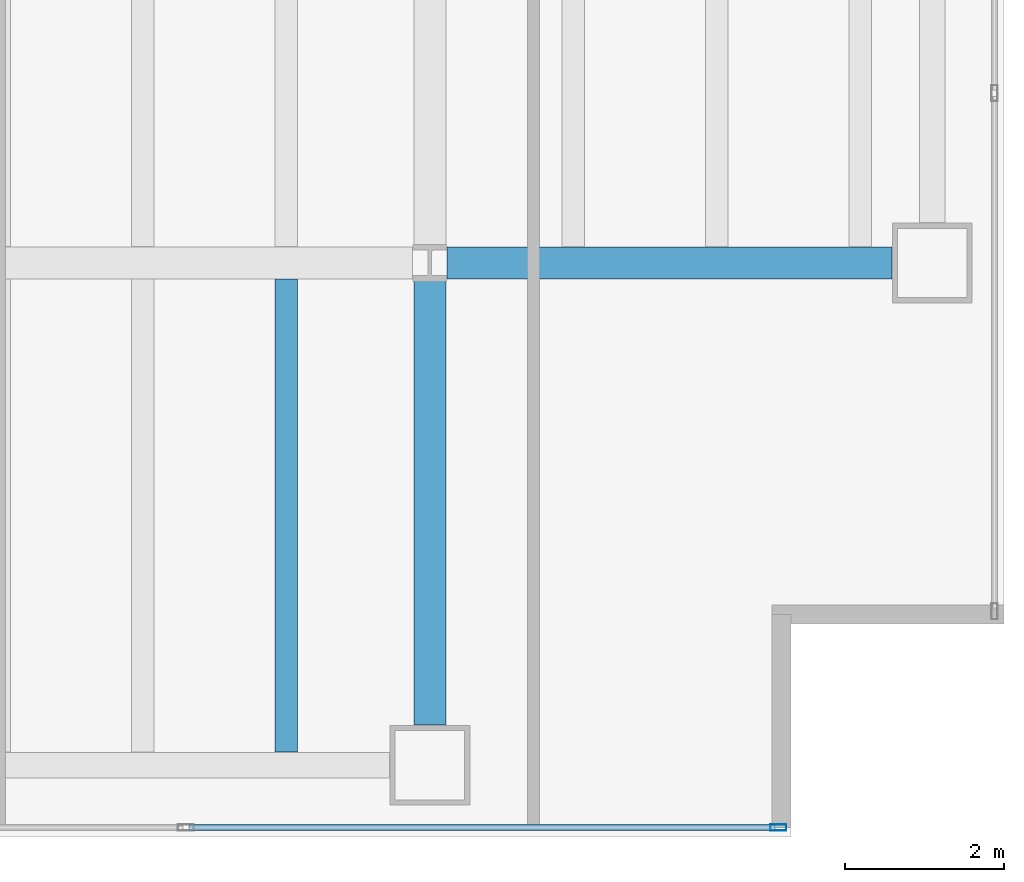
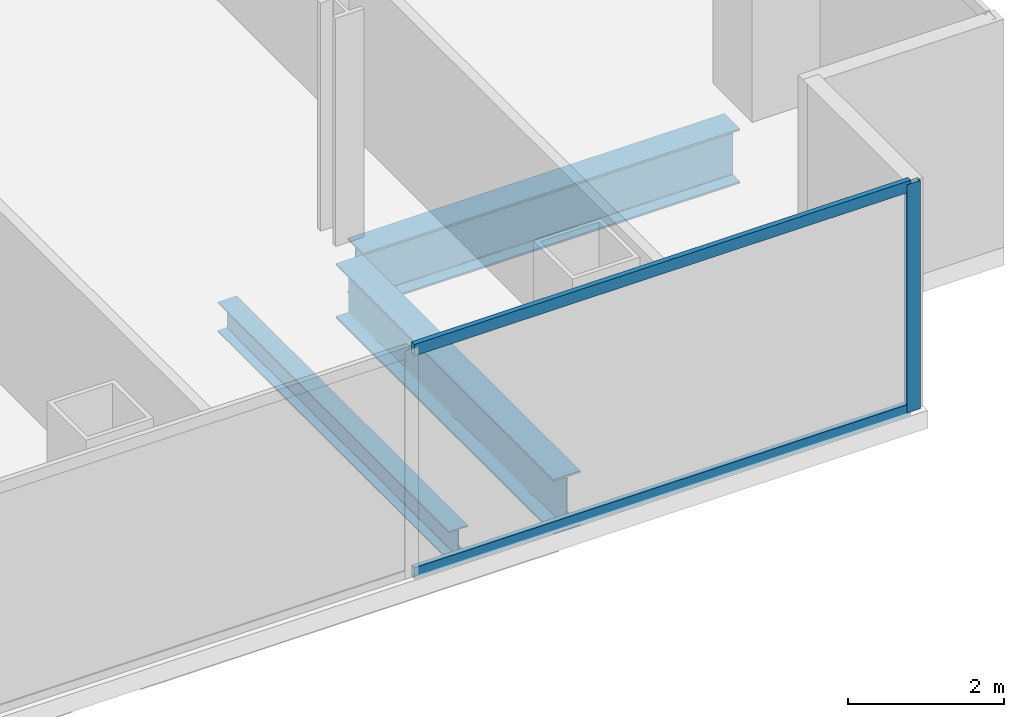
# One storey, part 8 of 23: 3 beams, 3 members, 1 element without a shape of its own.
"""IFC4 building model written with IfcOpenShell, lengths in metres."""

from ifc_helpers import new_model, si_unit, direction, frame, origin, origin_2d, place, context, subcontext, project, spatial, hollow_rectangle, i_section, extrude, material, material_profile, profile_set, type_object, element, aggregate, save


model = new_model("IFC4")

# Units and contexts
model_context = context("Model", 3, precision=1e-05, world=origin(), true_north=direction((0.0, 1.0)))
body_context = subcontext(model_context, "Body", "Model", "MODEL_VIEW")
ifc_project = project(units=[si_unit("LENGTHUNIT", "METRE"), si_unit("AREAUNIT", "SQUARE_METRE"), si_unit("VOLUMEUNIT", "CUBIC_METRE"), si_unit("PLANEANGLEUNIT", "RADIAN"), si_unit("MASSUNIT", "GRAM", prefix="KILO")], contexts=[model_context])

# Site, building, storey
site_placement = place(None, origin())
site = spatial("IfcSite", under=ifc_project, at=site_placement, CompositionType="ELEMENT")
building_placement = place(site_placement, origin())
building = spatial("IfcBuilding", under=site, at=building_placement, Name="Cobrela Telecom Tower", CompositionType="ELEMENT")
storey_placement = place(building_placement, frame((0.0, 0.0, 54.25)))
storey = spatial("IfcBuildingStorey", under=building, at=storey_placement, Name="L13", CompositionType="ELEMENT", Elevation=54.25)

# Beams
ifc_material_1 = material(Name="Steel ASTM A992 Grade 50", Category="steel")
ifc_material_profile_1 = material_profile(ifc_material_1, i_section(OverallWidth=0.39892578125, OverallDepth=0.85595703125, WebThickness=0.018310546875, FlangeThickness=0.029296875, FilletRadius=0.02001953125, at=origin_2d()), Name="W33X201")
ifc_profile_set_1 = profile_set([ifc_material_profile_1], Name="Steel ASTM A992 Grade 50")
beam_type_1 = type_object("IfcBeamType", Name="BM-GIRD-03", PredefinedType="USERDEFINED", material=ifc_profile_set_1)
beam_1_placement = place(storey_placement, frame((43.416015625, 7.199951171875, -0.7080078125), z_axis=(1.0, 0.0, 0.0), x_axis=(0.0, 1.0, 0.0)))
element("IfcBeam", 1, at=beam_1_placement, inside=storey, type_object=beam_type_1, Name="L13 Primary Girder X12", ObjectType="GIRDER", PredefinedType="USERDEFINED", context=body_context, shape_type="SweptSolid", body=[
    extrude(i_section(OverallWidth=0.39892578125, OverallDepth=0.85595703125, WebThickness=0.018310546875, FlangeThickness=0.029296875, FilletRadius=0.02001953125, at=origin_2d()), origin(), (0.0, 0.0, 1.0), 5.5791015625),
])
beam_2_placement = place(storey_placement, frame((43.199951171875, 1.405029296875, -0.7080078125), z_axis=(0.0, 1.0, 0.0), x_axis=(-1.0, 0.0, 0.0)))
element("IfcBeam", 2, at=beam_2_placement, inside=storey, type_object=beam_type_1, Name="L13 Primary Girder Y53", ObjectType="GIRDER", PredefinedType="USERDEFINED", context=body_context, shape_type="SweptSolid", body=[
    extrude(i_section(OverallWidth=0.39892578125, OverallDepth=0.85595703125, WebThickness=0.018310546875, FlangeThickness=0.029296875, FilletRadius=0.02001953125, at=origin_2d()), origin(), (0.0, 0.0, 1.0), 5.578857421875),
])
ifc_material_profile_2 = material_profile(ifc_material_1, i_section(OverallWidth=0.281982421875, OverallDepth=0.467041015625, WebThickness=0.01220703125, FlangeThickness=0.01953125, FilletRadius=0.012939453125, at=origin_2d()), Name="W18X86")
ifc_profile_set_2 = profile_set([ifc_material_profile_2], Name="Steel ASTM A992 Grade 50")
beam_type_2 = type_object("IfcBeamType", Name="BM-JOIST-02", PredefinedType="JOIST", material=ifc_profile_set_2)
beam_3_placement = place(storey_placement, frame((41.39990234375, 1.0673828125, -0.513427734375), z_axis=(0.0, 1.0, 0.0), x_axis=(-1.0, 0.0, 0.0)))
element("IfcBeam", 3, at=beam_3_placement, inside=storey, type_object=beam_type_2, Name="L13 Secondary Composite Floor Beam J56", PredefinedType="JOIST", context=body_context, shape_type="SweptSolid", body=[
    extrude(i_section(OverallWidth=0.281982421875, OverallDepth=0.467041015625, WebThickness=0.01220703125, FlangeThickness=0.01953125, FilletRadius=0.012939453125, at=origin_2d()), origin(), (0.0, 0.0, 1.0), 5.92822265625),
])

# Curtain wall, members
ifc_material_2 = material(Name="Anodized Bronze Aluminium 6063-T6", Category="aluminium")
curtain_wall_type = type_object("IfcCurtainWallType", Name="CW-SYS-DATA", PredefinedType="USERDEFINED", material=ifc_material_2)
curtain_wall_placement = place(storey_placement, origin())
curtain_wall = element("IfcCurtainWall", 4, at=curtain_wall_placement, inside=storey, type_object=curtain_wall_type, Name="L13 Unitised Bronze Curtain Wall 17", ObjectType="UNITISED CURTAIN WALL", PredefinedType="USERDEFINED")
ifc_material_profile_3 = material_profile(ifc_material_2, hollow_rectangle(XDim=0.080078125, YDim=0.199951171875, WallThickness=0.00390625, at=origin_2d()), Name="ALU 80x200x4")
ifc_profile_set_3 = profile_set([ifc_material_profile_3], Name="Anodized Bronze Aluminium 6063-T6")
member_type_1 = type_object("IfcMemberType", Name="CW-SYS-DATA-MUL", PredefinedType="MULLION", material=ifc_profile_set_3)
member_1_placement = place(storey_placement, frame((47.570068359375, 0.1201171875, 0.0), z_axis=(0.0, 0.0, 1.0), x_axis=(0.0, -1.0, 0.0)))
member_1 = element("IfcMember", 5, at=member_1_placement, type_object=member_type_1, Name="CW-DATA mullion 1", PredefinedType="MULLION", context=body_context, shape_type="SweptSolid", body=[
    extrude(hollow_rectangle(XDim=0.080078125, YDim=0.199951171875, WallThickness=0.00390625, at=origin_2d()), origin(), (0.0, 0.0, 1.0), 3.570068359375),
])
ifc_material_profile_4 = material_profile(ifc_material_2, hollow_rectangle(XDim=0.074951171875, YDim=0.179931640625, WallThickness=0.00390625, at=origin_2d()), Name="ALU 75x180x4")
ifc_profile_set_4 = profile_set([ifc_material_profile_4], Name="Anodized Bronze Aluminium 6063-T6")
member_type_2 = type_object("IfcMemberType", Name="CW-SYS-DATA-TRN", PredefinedType="USERDEFINED", material=ifc_profile_set_4)
member_2_placement = place(storey_placement, frame((47.530029296875, 0.1201171875, 0.03759765625), z_axis=(-1.0, 0.0, 0.0), x_axis=(0.0, -1.0, 0.0)))
member_2 = element("IfcMember", 6, at=member_2_placement, type_object=member_type_2, Name="CW-DATA transom 1.1", ObjectType="TRANSOM", PredefinedType="USERDEFINED", context=body_context, shape_type="SweptSolid", body=[
    extrude(hollow_rectangle(XDim=0.074951171875, YDim=0.179931640625, WallThickness=0.00390625, at=origin_2d()), origin(), (0.0, 0.0, 1.0), 7.35009765625),
])
member_3_placement = place(storey_placement, frame((47.530029296875, 0.1201171875, 3.532470703125), z_axis=(-1.0, 0.0, 0.0), x_axis=(0.0, -1.0, 0.0)))
member_3 = element("IfcMember", 7, at=member_3_placement, type_object=member_type_2, Name="CW-DATA transom 1.2", ObjectType="TRANSOM", PredefinedType="USERDEFINED", context=body_context, shape_type="SweptSolid", body=[
    extrude(hollow_rectangle(XDim=0.074951171875, YDim=0.179931640625, WallThickness=0.00390625, at=origin_2d()), origin(), (0.0, 0.0, 1.0), 7.35009765625),
])
aggregate(curtain_wall, [member_1, member_2, member_3])

save(model, "model.ifc")
